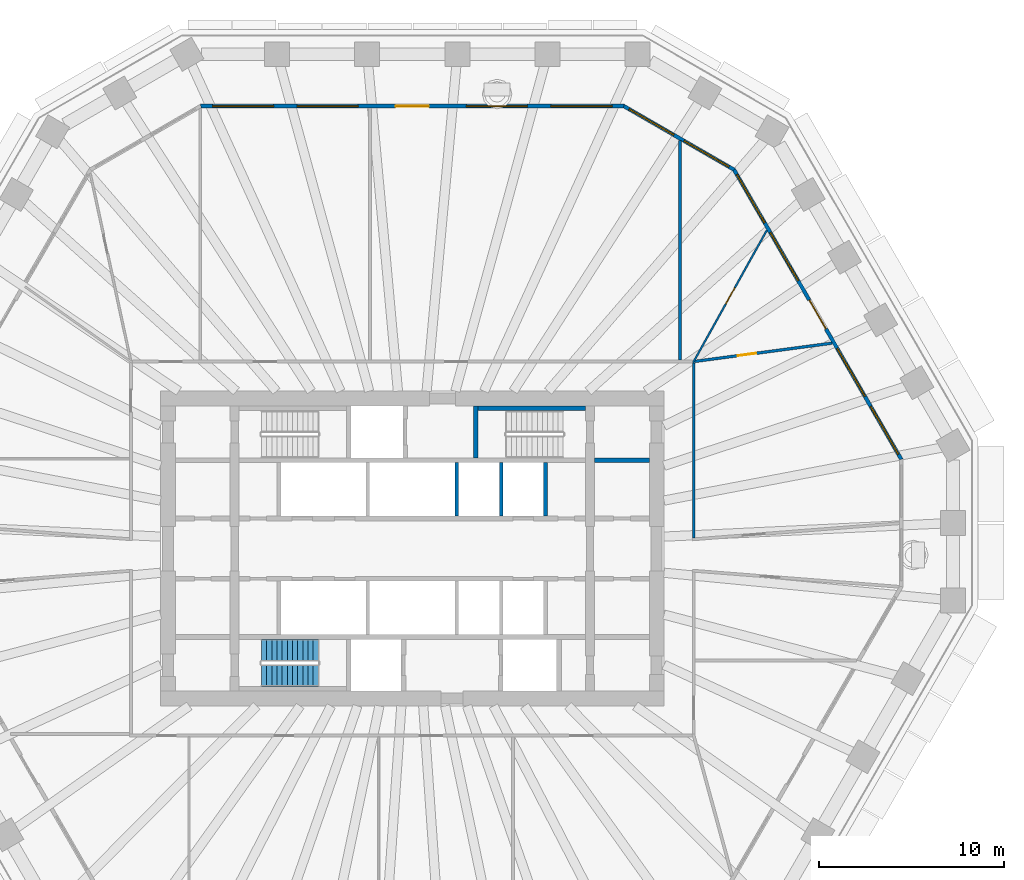
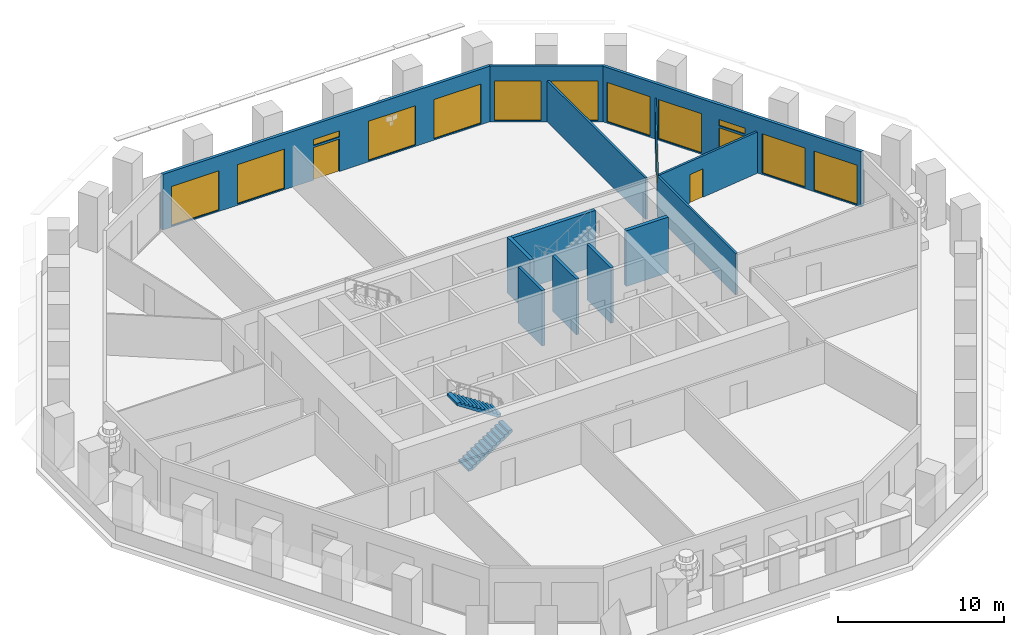
# One storey, part 7 of 12: 13 walls, 12 windows, 4 doors, 2 stair flights, 16 openings, 1 element without a shape of its own.
"""IFC4 building model written with IfcOpenShell, lengths in metres."""

from ifc_helpers import new_model, si_unit, direction, frame, frame_2d, origin, place, context, subcontext, project, spatial, polyline, rectangle, outline, extrude, material, layer, layer_set, type_object, element, fill, aggregate, save


model = new_model("IFC4")

# Units and contexts
model_context = context("Model", 3, precision=1e-05, world=origin(), true_north=direction((0.0, 1.0)))
body_context = subcontext(model_context, "Body", "Model", "MODEL_VIEW")
ifc_project = project(units=[si_unit("LENGTHUNIT", "METRE"), si_unit("AREAUNIT", "SQUARE_METRE"), si_unit("VOLUMEUNIT", "CUBIC_METRE"), si_unit("PLANEANGLEUNIT", "RADIAN"), si_unit("MASSUNIT", "GRAM", prefix="KILO")], contexts=[model_context])

# Site, building, storey
site_placement = place(None, origin())
site = spatial("IfcSite", under=ifc_project, at=site_placement, CompositionType="ELEMENT")
building_placement = place(site_placement, origin())
building = spatial("IfcBuilding", under=site, at=building_placement, Name="Frailejon Research Tower", CompositionType="ELEMENT")
storey_placement = place(building_placement, frame((0.0, 0.0, 126.39990234375)))
storey = spatial("IfcBuildingStorey", under=building, at=storey_placement, Name="L27", CompositionType="ELEMENT", Elevation=126.39990234375)

# Wall
ifc_material_1 = material(Name="Gypsum board and masonry partition", Category="masonry")
ifc_layer_1 = layer(ifc_material_1, 0.14990234375)
ifc_layer_set_1 = layer_set([ifc_layer_1], Name="Corridor wall EI 60, gypsum on steel studs 150")
wall_type_1 = type_object("IfcWallType", Name="Corridor wall EI 60, gypsum on steel studs 150", PredefinedType="PARTITIONING", material=ifc_layer_set_1)
wall_1_placement = place(storey_placement, frame((15.199951171875, 0.57568359375, 0.0), z_axis=(0.0, 0.0, 1.0), x_axis=(0.0, 1.0, 0.0)))
element("IfcWall", 1, at=wall_1_placement, inside=storey, type_object=wall_type_1, Name="T:IW:L27:004", PredefinedType="PARTITIONING", context=body_context, shape_type="SweptSolid", body=[
    extrude(rectangle(XDim=9.44921875, YDim=0.14990234375, at=frame_2d((4.724609375, 0.0))), origin(), (0.0, 0.0, 1.0), 3.050048828125),
])

# Wall, opening, door
ifc_material_2 = material(Name="Gypsum board and masonry partition", Category="masonry")
ifc_layer_2 = layer(ifc_material_2, 0.14990234375)
ifc_layer_set_2 = layer_set([ifc_layer_2], Name="Laboratory partition, blockwork 150")
wall_type_2 = type_object("IfcWallType", Name="Laboratory partition, blockwork 150", PredefinedType="PARTITIONING", material=ifc_layer_set_2)
wall_2_placement = place(storey_placement, frame((15.24951171875, 10.106689453125, 0.0), z_axis=(0.0, 0.0, 1.0), x_axis=(0.991272259153, 0.131830604315, 0.0)))
wall_2 = element("IfcWall", 2, at=wall_2_placement, inside=storey, type_object=wall_type_2, Name="T:IW:L27:011", PredefinedType="PARTITIONING", context=body_context, shape_type="SweptSolid", body=[
    extrude(rectangle(XDim=7.4892578125, YDim=0.14990234375, at=frame_2d((3.74462890625, 0.0))), origin(), (0.0, 0.0, 1.0), 3.050048828125),
])
opening_1_placement = place(wall_2_placement, frame((2.34375, 0.0, 0.0)))
opening_1 = element("IfcOpeningElement", 3, at=opening_1_placement, cuts=wall_2, Name="Opening D1648", PredefinedType="OPENING", context=body_context, shape_type="SweptSolid", body=[
    extrude(rectangle(XDim=1.0, YDim=2.10009765625, at=frame_2d((0.5, 1.050048828125))), frame((0.0, 0.0849609375, 0.0), z_axis=(0.0, -1.0, 0.0), x_axis=(1.0, 0.0, 0.0)), (0.0, 0.0, 1.0), 0.169921875),
])
ifc_material_3 = material(Name="Timber door leaf", Category="wood")
door_type_1 = type_object("IfcDoorType", Name="Door single leaf, timber, steel frame 1000", OperationType="NOTDEFINED", PredefinedType="DOOR", material=ifc_material_3)
door_1_placement = place(opening_1_placement, origin())
door_1 = element("IfcDoor", 4, at=door_1_placement, inside=storey, type_object=door_type_1, Name="D1648", OperationType="SINGLE_SWING_RIGHT", OverallHeight=2.10009765625, OverallWidth=1.0, PredefinedType="DOOR", context=body_context, shape_type="SweptSolid", body=[
    extrude(rectangle(XDim=1.0, YDim=2.10009765625, at=frame_2d((0.5, 1.050048828125))), frame((0.0, 0.02490234375, 0.0), z_axis=(0.0, -1.0, 0.0), x_axis=(1.0, 0.0, 0.0)), (0.0, 0.0, 1.0), 0.050048828125),
])
fill(opening_1, door_1)

# Wall
wall_3_placement = place(storey_placement, frame((14.453125, 10.175048828125, 0.0), z_axis=(0.0, 0.0, 1.0), x_axis=(0.0, 1.0, 0.0)))
element("IfcWall", 5, at=wall_3_placement, inside=storey, type_object=wall_type_2, Name="T:IW:L27:012", PredefinedType="PARTITIONING", context=body_context, shape_type="SweptSolid", body=[
    extrude(rectangle(XDim=11.862060546875, YDim=0.14990234375, at=frame_2d((5.93115234375, 0.0))), origin(), (0.0, 0.0, 1.0), 3.050048828125),
])

# Wall, opening, door
ifc_material_4 = material(Name="Gypsum board and masonry partition", Category="masonry")
ifc_layer_3 = layer(ifc_material_4, 0.10009765625)
ifc_layer_set_3 = layer_set([ifc_layer_3], Name="Partition, gypsum on steel studs 100")
wall_type_3 = type_object("IfcWallType", Name="Partition, gypsum on steel studs 100", PredefinedType="PARTITIONING", material=ifc_layer_set_3)
wall_4_placement = place(storey_placement, frame((15.16357421875, 10.034423828125, 0.0), z_axis=(0.0, 0.0, 1.0), x_axis=(0.486568356271, 0.873642509655, 0.0)))
wall_4 = element("IfcWall", 6, at=wall_4_placement, inside=storey, type_object=wall_type_3, Name="T:IW:L27:019", PredefinedType="PARTITIONING", context=body_context, shape_type="SweptSolid", body=[
    extrude(rectangle(XDim=8.19580078125, YDim=0.10009765625, at=frame_2d((4.097900390625, 0.0))), origin(), (0.0, 0.0, 1.0), 3.050048828125),
])
opening_2_placement = place(wall_4_placement, frame((3.63525390625, 0.0, 0.0)))
opening_2 = element("IfcOpeningElement", 7, at=opening_2_placement, cuts=wall_4, Name="Opening D1649", PredefinedType="OPENING", context=body_context, shape_type="SweptSolid", body=[
    extrude(rectangle(XDim=1.0, YDim=2.10009765625, at=frame_2d((0.5, 1.050048828125))), frame((0.0, 0.06005859375, 0.0), z_axis=(0.0, -1.0, 0.0), x_axis=(1.0, 0.0, 0.0)), (0.0, 0.0, 1.0), 0.1201171875),
])
door_2_placement = place(opening_2_placement, origin())
door_2 = element("IfcDoor", 8, at=door_2_placement, inside=storey, type_object=door_type_1, Name="D1649", OperationType="SINGLE_SWING_LEFT", OverallHeight=2.10009765625, OverallWidth=1.0, PredefinedType="DOOR", context=body_context, shape_type="SweptSolid", body=[
    extrude(rectangle(XDim=1.0, YDim=2.10009765625, at=frame_2d((0.5, 1.050048828125))), frame((0.0, 0.02490234375, 0.0), z_axis=(0.0, -1.0, 0.0), x_axis=(1.0, 0.0, 0.0)), (0.0, 0.0, 1.0), 0.050048828125),
])
fill(opening_2, door_2)

# Walls
ifc_material_5 = material(Name="Concrete C70/85", Category="concrete")
ifc_layer_4 = layer(ifc_material_5, 0.199951171875)
ifc_layer_set_4 = layer_set([ifc_layer_4], Name="Shaft wall 200 C70/85")
wall_type_4 = type_object("IfcWallType", Name="Shaft wall 200 C70/85", PredefinedType="SOLIDWALL", material=ifc_layer_set_4)
for number, where, z_axis, x_axis, name in (
    (9, (2.39990234375, 1.75, 0.0), (0.0, 0.0, 1.0), (0.0, 1.0, 0.0), "Shaft wall"),
    (10, (4.800048828125, 1.75, 0.0), (0.0, 0.0, 1.0), (0.0, 1.0, 0.0), "Shaft wall"),
    (11, (7.199951171875, 1.75, 0.0), (0.0, 0.0, 1.0), (0.0, 1.0, 0.0), "Shaft wall"),
):
    element("IfcWall", number, at=place(storey_placement, frame(where, z_axis=z_axis, x_axis=x_axis)), inside=storey, type_object=wall_type_4, Name=name, PredefinedType="SOLIDWALL", context=body_context, shape_type="SweptSolid", body=[
        extrude(rectangle(XDim=2.89990234375, YDim=0.199951171875, at=frame_2d((1.449951171875, 0.0))), origin(), (0.0, 0.0, 1.0), 4.10009765625),
    ])
ifc_material_6 = material(Name="Concrete C70/85", Category="concrete")
ifc_layer_5 = layer(ifc_material_6, 0.25)
ifc_layer_set_5 = layer_set([ifc_layer_5], Name="Shaft wall 250 C70/85")
wall_type_5 = type_object("IfcWallType", Name="Shaft wall 250 C70/85", PredefinedType="SOLIDWALL", material=ifc_layer_set_5)
wall_5_placement = place(storey_placement, frame((9.85009765625, 4.77490234375, 0.0), z_axis=(0.0, 0.0, 1.0), x_axis=(1.0, 0.0, 0.0)))
element("IfcWall", 12, at=wall_5_placement, inside=storey, type_object=wall_type_5, Name="Shaft wall", PredefinedType="SOLIDWALL", context=body_context, shape_type="SweptSolid", body=[
    extrude(rectangle(XDim=2.949951171875, YDim=0.25, at=frame_2d((1.47509765625, 0.0))), origin(), (0.0, 0.0, 1.0), 4.10009765625),
])
wall_6_placement = place(storey_placement, frame((3.550048828125, 7.574951171875, 0.0), z_axis=(0.0, 0.0, 1.0), x_axis=(1.0, 0.0, 0.0)))
element("IfcWall", 13, at=wall_6_placement, inside=storey, type_object=wall_type_5, Name="Shaft wall", PredefinedType="SOLIDWALL", context=body_context, shape_type="SweptSolid", body=[
    extrude(rectangle(XDim=5.800048828125, YDim=0.25, at=frame_2d((2.89990234375, 0.0))), origin(), (0.0, 0.0, 1.0), 4.10009765625),
])
wall_7_placement = place(storey_placement, frame((3.425048828125, 4.89990234375, 0.0), z_axis=(0.0, 0.0, 1.0), x_axis=(0.0, 1.0, 0.0)))
element("IfcWall", 14, at=wall_7_placement, inside=storey, type_object=wall_type_5, Name="Shaft wall", PredefinedType="SOLIDWALL", context=body_context, shape_type="SweptSolid", body=[
    extrude(rectangle(XDim=2.800048828125, YDim=0.25, at=frame_2d((1.39990234375, 0.0))), origin(), (0.0, 0.0, 1.0), 4.10009765625),
])

# Wall, openings, door, windows
ifc_material_7 = material(Name="Concrete C40/50 precast window wall panel", Category="concrete")
ifc_layer_6 = layer(ifc_material_7, 0.199951171875)
ifc_layer_set_6 = layer_set([ifc_layer_6], Name="Window wall 200")
wall_type_6 = type_object("IfcWallType", Name="Window wall 200", PredefinedType="SOLIDWALL", material=ifc_layer_set_6)
wall_8_placement = place(storey_placement, frame((26.4111328125, 4.820068359375, 0.0), z_axis=(0.0, 0.0, 1.0), x_axis=(-0.500000137386, 0.866025324465, 0.0)))
wall_8 = element("IfcWall", 15, at=wall_8_placement, inside=storey, type_object=wall_type_6, Name="Exterior wall L27", PredefinedType="SOLIDWALL", context=body_context, shape_type="SweptSolid", body=[
    extrude(outline(polyline([(-0.02685546875, -0.10009765625), (0.9794921875, -0.10009765625), (1.986083984375, -0.10009765625), (2.992431640625, -0.10009765625), (3.9990234375, -0.10009765625), (5.00537109375, -0.10009765625), (6.011962890625, -0.10009765625), (7.018310546875, -0.10009765625), (8.02490234375, -0.10009765625), (9.03125, -0.10009765625), (10.03759765625, -0.10009765625), (11.044189453125, -0.10009765625), (12.050537109375, -0.10009765625), (13.05712890625, -0.10009765625), (14.0634765625, -0.10009765625), (15.070068359375, -0.10009765625), (16.076416015625, -0.10009765625), (17.0830078125, -0.10009765625), (18.08935546875, -0.10009765625), (18.03564453125, 0.10009765625), (17.03515625, 0.10009765625), (16.03466796875, 0.10009765625), (15.0341796875, 0.10009765625), (14.03369140625, 0.10009765625), (13.033203125, 0.10009765625), (12.03271484375, 0.10009765625), (11.0322265625, 0.10009765625), (10.03173828125, 0.10009765625), (9.03125, 0.10009765625), (8.03076171875, 0.10009765625), (7.0302734375, 0.10009765625), (6.02978515625, 0.10009765625), (5.029296875, 0.10009765625), (4.02880859375, 0.10009765625), (3.0283203125, 0.10009765625), (2.02783203125, 0.10009765625), (1.02734375, 0.10009765625), (0.02685546875, 0.10009765625), (-0.02685546875, -0.10009765625)])), origin(), (0.0, 0.0, 1.0), 4.10009765625),
])
opening_3_placement = place(wall_8_placement, frame((0.306396484375, 0.0, 0.10009765625)))
opening_3 = element("IfcOpeningElement", 16, at=opening_3_placement, cuts=wall_8, Name="Opening W4", PredefinedType="OPENING", context=body_context, shape_type="SweptSolid", body=[
    extrude(rectangle(XDim=3.0, YDim=2.89990234375, at=frame_2d((1.5, 1.449951171875))), frame((0.0, 0.10986328125, 0.0), z_axis=(0.0, -1.0, 0.0), x_axis=(1.0, 0.0, 0.0)), (0.0, 0.0, 1.0), 0.219970703125),
])
opening_4_placement = place(wall_8_placement, frame((3.918701171875, 0.0, 0.10009765625)))
opening_4 = element("IfcOpeningElement", 17, at=opening_4_placement, cuts=wall_8, Name="Opening W4", PredefinedType="OPENING", context=body_context, shape_type="SweptSolid", body=[
    extrude(rectangle(XDim=3.0, YDim=2.89990234375, at=frame_2d((1.5, 1.449951171875))), frame((0.0, 0.10986328125, 0.0), z_axis=(0.0, -1.0, 0.0), x_axis=(1.0, 0.0, 0.0)), (0.0, 0.0, 1.0), 0.219970703125),
])
opening_5_placement = place(wall_8_placement, frame((8.13134765625, 0.0, 0.0)))
opening_5 = element("IfcOpeningElement", 18, at=opening_5_placement, cuts=wall_8, Name="Opening LG27-1", PredefinedType="OPENING", context=body_context, shape_type="SweptSolid", body=[
    extrude(rectangle(XDim=1.800048828125, YDim=2.39990234375, at=frame_2d((0.89990234375, 1.199951171875))), frame((0.0, 0.10986328125, 0.0), z_axis=(0.0, -1.0, 0.0), x_axis=(1.0, 0.0, 0.0)), (0.0, 0.0, 1.0), 0.219970703125),
])
opening_6_placement = place(wall_8_placement, frame((8.13134765625, 0.0, 2.550048828125)))
opening_6 = element("IfcOpeningElement", 19, at=opening_6_placement, cuts=wall_8, Name="Opening W1", PredefinedType="OPENING", context=body_context, shape_type="SweptSolid", body=[
    extrude(rectangle(XDim=1.800048828125, YDim=0.449951171875, at=frame_2d((0.89990234375, 0.22509765625))), frame((0.0, 0.10986328125, 0.0), z_axis=(0.0, -1.0, 0.0), x_axis=(1.0, 0.0, 0.0)), (0.0, 0.0, 1.0), 0.219970703125),
])
opening_7_placement = place(wall_8_placement, frame((11.143798828125, 0.0, 0.10009765625)))
opening_7 = element("IfcOpeningElement", 20, at=opening_7_placement, cuts=wall_8, Name="Opening W4", PredefinedType="OPENING", context=body_context, shape_type="SweptSolid", body=[
    extrude(rectangle(XDim=3.0, YDim=2.89990234375, at=frame_2d((1.5, 1.449951171875))), frame((0.0, 0.10986328125, 0.0), z_axis=(0.0, -1.0, 0.0), x_axis=(1.0, 0.0, 0.0)), (0.0, 0.0, 1.0), 0.219970703125),
])
opening_8_placement = place(wall_8_placement, frame((14.75634765625, 0.0, 0.10009765625)))
opening_8 = element("IfcOpeningElement", 21, at=opening_8_placement, cuts=wall_8, Name="Opening W4", PredefinedType="OPENING", context=body_context, shape_type="SweptSolid", body=[
    extrude(rectangle(XDim=3.0, YDim=2.89990234375, at=frame_2d((1.5, 1.449951171875))), frame((0.0, 0.10986328125, 0.0), z_axis=(0.0, -1.0, 0.0), x_axis=(1.0, 0.0, 0.0)), (0.0, 0.0, 1.0), 0.219970703125),
])
ifc_material_8 = material(Name="Aluminium framed glazed door leaf", Category="aluminium")
door_type_2 = type_object("IfcDoorType", Name="Loggia door 1800x2400", OperationType="DOUBLE_DOOR_SINGLE_SWING", PredefinedType="DOOR", material=ifc_material_8)
door_3_placement = place(opening_5_placement, origin())
door_3 = element("IfcDoor", 22, at=door_3_placement, inside=storey, type_object=door_type_2, Name="Door LG27-1", OperationType="DOUBLE_DOOR_SINGLE_SWING", OverallHeight=2.39990234375, OverallWidth=1.800048828125, PredefinedType="DOOR", context=body_context, shape_type="SweptSolid", body=[
    extrude(rectangle(XDim=1.800048828125, YDim=2.39990234375, at=frame_2d((0.89990234375, 1.199951171875))), frame((0.0, 0.02490234375, 0.0), z_axis=(0.0, -1.0, 0.0), x_axis=(1.0, 0.0, 0.0)), (0.0, 0.0, 1.0), 0.050048828125),
])
fill(opening_5, door_3)
ifc_material_9 = material(Name="Aluminium framed double glazing", Category="aluminium")
window_type_1 = type_object("IfcWindowType", Name="Window 1800x450", PartitioningType="SINGLE_PANEL", PredefinedType="WINDOW", material=ifc_material_9)
window_1_placement = place(opening_6_placement, origin())
window_1 = element("IfcWindow", 23, at=window_1_placement, inside=storey, type_object=window_type_1, Name="Window L27", OverallHeight=0.449951171875, OverallWidth=1.800048828125, PartitioningType="SINGLE_PANEL", PredefinedType="WINDOW", context=body_context, shape_type="SweptSolid", body=[
    extrude(rectangle(XDim=1.800048828125, YDim=0.449951171875, at=frame_2d((0.89990234375, 0.22509765625))), frame((0.0, 0.030029296875, 0.0), z_axis=(0.0, -1.0, 0.0), x_axis=(1.0, 0.0, 0.0)), (0.0, 0.0, 1.0), 0.06005859375),
])
fill(opening_6, window_1)
ifc_material_10 = material(Name="Aluminium framed double glazing", Category="aluminium")
window_type_2 = type_object("IfcWindowType", Name="Window 3000x2900", PartitioningType="SINGLE_PANEL", PredefinedType="WINDOW", material=ifc_material_10)
window_2_placement = place(opening_3_placement, origin())
window_2 = element("IfcWindow", 24, at=window_2_placement, inside=storey, type_object=window_type_2, Name="Window L27", OverallHeight=2.89990234375, OverallWidth=3.0, PartitioningType="SINGLE_PANEL", PredefinedType="WINDOW", context=body_context, shape_type="SweptSolid", body=[
    extrude(rectangle(XDim=3.0, YDim=2.89990234375, at=frame_2d((1.5, 1.449951171875))), frame((0.0, 0.030029296875, 0.0), z_axis=(0.0, -1.0, 0.0), x_axis=(1.0, 0.0, 0.0)), (0.0, 0.0, 1.0), 0.06005859375),
])
fill(opening_3, window_2)
window_3_placement = place(opening_4_placement, origin())
window_3 = element("IfcWindow", 25, at=window_3_placement, inside=storey, type_object=window_type_2, Name="Window L27", OverallHeight=2.89990234375, OverallWidth=3.0, PartitioningType="SINGLE_PANEL", PredefinedType="WINDOW", context=body_context, shape_type="SweptSolid", body=[
    extrude(rectangle(XDim=3.0, YDim=2.89990234375, at=frame_2d((1.5, 1.449951171875))), frame((0.0, 0.030029296875, 0.0), z_axis=(0.0, -1.0, 0.0), x_axis=(1.0, 0.0, 0.0)), (0.0, 0.0, 1.0), 0.06005859375),
])
fill(opening_4, window_3)
window_4_placement = place(opening_7_placement, origin())
window_4 = element("IfcWindow", 26, at=window_4_placement, inside=storey, type_object=window_type_2, Name="Window L27", OverallHeight=2.89990234375, OverallWidth=3.0, PartitioningType="SINGLE_PANEL", PredefinedType="WINDOW", context=body_context, shape_type="SweptSolid", body=[
    extrude(rectangle(XDim=3.0, YDim=2.89990234375, at=frame_2d((1.5, 1.449951171875))), frame((0.0, 0.030029296875, 0.0), z_axis=(0.0, -1.0, 0.0), x_axis=(1.0, 0.0, 0.0)), (0.0, 0.0, 1.0), 0.06005859375),
])
fill(opening_7, window_4)
window_5_placement = place(opening_8_placement, origin())
window_5 = element("IfcWindow", 27, at=window_5_placement, inside=storey, type_object=window_type_2, Name="Window L27", OverallHeight=2.89990234375, OverallWidth=3.0, PartitioningType="SINGLE_PANEL", PredefinedType="WINDOW", context=body_context, shape_type="SweptSolid", body=[
    extrude(rectangle(XDim=3.0, YDim=2.89990234375, at=frame_2d((1.5, 1.449951171875))), frame((0.0, 0.030029296875, 0.0), z_axis=(0.0, -1.0, 0.0), x_axis=(1.0, 0.0, 0.0)), (0.0, 0.0, 1.0), 0.06005859375),
])
fill(opening_8, window_5)

# Wall, openings, windows
wall_9_placement = place(storey_placement, frame((17.3798828125, 20.462646484375, 0.0), z_axis=(0.0, 0.0, 1.0), x_axis=(-0.866029458321, 0.49999297727, 0.0)))
wall_9 = element("IfcWall", 28, at=wall_9_placement, inside=storey, type_object=wall_type_6, Name="Exterior wall L27", PredefinedType="SOLIDWALL", context=body_context, shape_type="SweptSolid", body=[
    extrude(outline(polyline([(-0.02685546875, -0.10009765625), (1.1279296875, -0.10009765625), (2.282470703125, -0.10009765625), (3.437255859375, -0.10009765625), (4.592041015625, -0.10009765625), (5.74658203125, -0.10009765625), (6.9013671875, -0.10009765625), (6.84765625, 0.10009765625), (5.7109375, 0.10009765625), (4.573974609375, 0.10009765625), (3.437255859375, 0.10009765625), (2.300537109375, 0.10009765625), (1.16357421875, 0.10009765625), (0.02685546875, 0.10009765625), (-0.02685546875, -0.10009765625)])), origin(), (0.0, 0.0, 1.0), 4.10009765625),
])
opening_9_placement = place(wall_9_placement, frame((0.318603515625, 0.0, 0.10009765625)))
opening_9 = element("IfcOpeningElement", 29, at=opening_9_placement, cuts=wall_9, Name="Opening W3", PredefinedType="OPENING", context=body_context, shape_type="SweptSolid", body=[
    extrude(rectangle(XDim=2.800048828125, YDim=2.89990234375, at=frame_2d((1.39990234375, 1.449951171875))), frame((0.0, 0.10986328125, 0.0), z_axis=(0.0, -1.0, 0.0), x_axis=(1.0, 0.0, 0.0)), (0.0, 0.0, 1.0), 0.219970703125),
])
opening_10_placement = place(wall_9_placement, frame((3.756103515625, 0.0, 0.10009765625)))
opening_10 = element("IfcOpeningElement", 30, at=opening_10_placement, cuts=wall_9, Name="Opening W3", PredefinedType="OPENING", context=body_context, shape_type="SweptSolid", body=[
    extrude(rectangle(XDim=2.800048828125, YDim=2.89990234375, at=frame_2d((1.39990234375, 1.449951171875))), frame((0.0, 0.10986328125, 0.0), z_axis=(0.0, -1.0, 0.0), x_axis=(1.0, 0.0, 0.0)), (0.0, 0.0, 1.0), 0.219970703125),
])
ifc_material_11 = material(Name="Aluminium framed double glazing", Category="aluminium")
window_type_3 = type_object("IfcWindowType", Name="Window 2800x2900", PartitioningType="SINGLE_PANEL", PredefinedType="WINDOW", material=ifc_material_11)
window_6_placement = place(opening_9_placement, origin())
window_6 = element("IfcWindow", 31, at=window_6_placement, inside=storey, type_object=window_type_3, Name="Window L27", OverallHeight=2.89990234375, OverallWidth=2.800048828125, PartitioningType="SINGLE_PANEL", PredefinedType="WINDOW", context=body_context, shape_type="SweptSolid", body=[
    extrude(rectangle(XDim=2.800048828125, YDim=2.89990234375, at=frame_2d((1.39990234375, 1.449951171875))), frame((0.0, 0.030029296875, 0.0), z_axis=(0.0, -1.0, 0.0), x_axis=(1.0, 0.0, 0.0)), (0.0, 0.0, 1.0), 0.06005859375),
])
fill(opening_9, window_6)
window_7_placement = place(opening_10_placement, origin())
window_7 = element("IfcWindow", 32, at=window_7_placement, inside=storey, type_object=window_type_3, Name="Window L27", OverallHeight=2.89990234375, OverallWidth=2.800048828125, PartitioningType="SINGLE_PANEL", PredefinedType="WINDOW", context=body_context, shape_type="SweptSolid", body=[
    extrude(rectangle(XDim=2.800048828125, YDim=2.89990234375, at=frame_2d((1.39990234375, 1.449951171875))), frame((0.0, 0.030029296875, 0.0), z_axis=(0.0, -1.0, 0.0), x_axis=(1.0, 0.0, 0.0)), (0.0, 0.0, 1.0), 0.06005859375),
])
fill(opening_10, window_7)

# Wall, openings, door, windows
wall_10_placement = place(storey_placement, frame((11.42626953125, 23.89990234375, 0.0), z_axis=(0.0, 0.0, 1.0), x_axis=(-1.0, 0.0, 0.0)))
wall_10 = element("IfcWall", 33, at=wall_10_placement, inside=storey, type_object=wall_type_6, Name="Exterior wall L27", PredefinedType="SOLIDWALL", context=body_context, shape_type="SweptSolid", body=[
    extrude(outline(polyline([(-0.02685546875, -0.10009765625), (1.014404296875, -0.10009765625), (2.055419921875, -0.10009765625), (3.0966796875, -0.10009765625), (4.137939453125, -0.10009765625), (5.17919921875, -0.10009765625), (6.22021484375, -0.10009765625), (7.261474609375, -0.10009765625), (8.302734375, -0.10009765625), (9.343994140625, -0.10009765625), (10.385009765625, -0.10009765625), (11.42626953125, -0.10009765625), (12.467529296875, -0.10009765625), (13.508544921875, -0.10009765625), (14.5498046875, -0.10009765625), (15.591064453125, -0.10009765625), (16.63232421875, -0.10009765625), (17.67333984375, -0.10009765625), (18.714599609375, -0.10009765625), (19.755859375, -0.10009765625), (20.797119140625, -0.10009765625), (21.838134765625, -0.10009765625), (22.87939453125, -0.10009765625), (22.82568359375, 0.10009765625), (21.789306640625, 0.10009765625), (20.753173828125, 0.10009765625), (19.716796875, 0.10009765625), (18.680419921875, 0.10009765625), (17.64404296875, 0.10009765625), (16.60791015625, 0.10009765625), (15.571533203125, 0.10009765625), (14.53515625, 0.10009765625), (13.498779296875, 0.10009765625), (12.462646484375, 0.10009765625), (11.42626953125, 0.10009765625), (10.389892578125, 0.10009765625), (9.353759765625, 0.10009765625), (8.3173828125, 0.10009765625), (7.281005859375, 0.10009765625), (6.24462890625, 0.10009765625), (5.20849609375, 0.10009765625), (4.172119140625, 0.10009765625), (3.1357421875, 0.10009765625), (2.099365234375, 0.10009765625), (1.063232421875, 0.10009765625), (0.02685546875, 0.10009765625), (-0.02685546875, -0.10009765625)])), origin(), (0.0, 0.0, 1.0), 4.10009765625),
])
opening_11_placement = place(wall_10_placement, frame((0.63525390625, 0.0, 0.10009765625)))
opening_11 = element("IfcOpeningElement", 34, at=opening_11_placement, cuts=wall_10, Name="Opening W5", PredefinedType="OPENING", context=body_context, shape_type="SweptSolid", body=[
    extrude(rectangle(XDim=3.300048828125, YDim=2.89990234375, at=frame_2d((1.64990234375, 1.449951171875))), frame((0.0, 0.10986328125, 0.0), z_axis=(0.0, -1.0, 0.0), x_axis=(1.0, 0.0, 0.0)), (0.0, 0.0, 1.0), 0.219970703125),
])
opening_12_placement = place(wall_10_placement, frame((5.205810546875, 0.0, 0.10009765625)))
opening_12 = element("IfcOpeningElement", 35, at=opening_12_placement, cuts=wall_10, Name="Opening W5", PredefinedType="OPENING", context=body_context, shape_type="SweptSolid", body=[
    extrude(rectangle(XDim=3.300048828125, YDim=2.89990234375, at=frame_2d((1.64990234375, 1.449951171875))), frame((0.0, 0.10986328125, 0.0), z_axis=(0.0, -1.0, 0.0), x_axis=(1.0, 0.0, 0.0)), (0.0, 0.0, 1.0), 0.219970703125),
])
opening_13_placement = place(wall_10_placement, frame((10.5263671875, 0.0, 0.0)))
opening_13 = element("IfcOpeningElement", 36, at=opening_13_placement, cuts=wall_10, Name="Opening LG27-2", PredefinedType="OPENING", context=body_context, shape_type="SweptSolid", body=[
    extrude(rectangle(XDim=1.800048828125, YDim=2.39990234375, at=frame_2d((0.89990234375, 1.199951171875))), frame((0.0, 0.10986328125, 0.0), z_axis=(0.0, -1.0, 0.0), x_axis=(1.0, 0.0, 0.0)), (0.0, 0.0, 1.0), 0.219970703125),
])
opening_14_placement = place(wall_10_placement, frame((10.5263671875, 0.0, 2.550048828125)))
opening_14 = element("IfcOpeningElement", 37, at=opening_14_placement, cuts=wall_10, Name="Opening W1", PredefinedType="OPENING", context=body_context, shape_type="SweptSolid", body=[
    extrude(rectangle(XDim=1.800048828125, YDim=0.449951171875, at=frame_2d((0.89990234375, 0.22509765625))), frame((0.0, 0.10986328125, 0.0), z_axis=(0.0, -1.0, 0.0), x_axis=(1.0, 0.0, 0.0)), (0.0, 0.0, 1.0), 0.219970703125),
])
opening_15_placement = place(wall_10_placement, frame((14.3466796875, 0.0, 0.10009765625)))
opening_15 = element("IfcOpeningElement", 38, at=opening_15_placement, cuts=wall_10, Name="Opening W5", PredefinedType="OPENING", context=body_context, shape_type="SweptSolid", body=[
    extrude(rectangle(XDim=3.300048828125, YDim=2.89990234375, at=frame_2d((1.64990234375, 1.449951171875))), frame((0.0, 0.10986328125, 0.0), z_axis=(0.0, -1.0, 0.0), x_axis=(1.0, 0.0, 0.0)), (0.0, 0.0, 1.0), 0.219970703125),
])
opening_16_placement = place(wall_10_placement, frame((18.917236328125, 0.0, 0.10009765625)))
opening_16 = element("IfcOpeningElement", 39, at=opening_16_placement, cuts=wall_10, Name="Opening W5", PredefinedType="OPENING", context=body_context, shape_type="SweptSolid", body=[
    extrude(rectangle(XDim=3.300048828125, YDim=2.89990234375, at=frame_2d((1.64990234375, 1.449951171875))), frame((0.0, 0.10986328125, 0.0), z_axis=(0.0, -1.0, 0.0), x_axis=(1.0, 0.0, 0.0)), (0.0, 0.0, 1.0), 0.219970703125),
])
door_4_placement = place(opening_13_placement, origin())
door_4 = element("IfcDoor", 40, at=door_4_placement, inside=storey, type_object=door_type_2, Name="Door LG27-2", OperationType="DOUBLE_DOOR_SINGLE_SWING", OverallHeight=2.39990234375, OverallWidth=1.800048828125, PredefinedType="DOOR", context=body_context, shape_type="SweptSolid", body=[
    extrude(rectangle(XDim=1.800048828125, YDim=2.39990234375, at=frame_2d((0.89990234375, 1.199951171875))), frame((0.0, 0.02490234375, 0.0), z_axis=(0.0, -1.0, 0.0), x_axis=(1.0, 0.0, 0.0)), (0.0, 0.0, 1.0), 0.050048828125),
])
fill(opening_13, door_4)
window_8_placement = place(opening_14_placement, origin())
window_8 = element("IfcWindow", 41, at=window_8_placement, inside=storey, type_object=window_type_1, Name="Window L27", OverallHeight=0.449951171875, OverallWidth=1.800048828125, PartitioningType="SINGLE_PANEL", PredefinedType="WINDOW", context=body_context, shape_type="SweptSolid", body=[
    extrude(rectangle(XDim=1.800048828125, YDim=0.449951171875, at=frame_2d((0.89990234375, 0.22509765625))), frame((0.0, 0.030029296875, 0.0), z_axis=(0.0, -1.0, 0.0), x_axis=(1.0, 0.0, 0.0)), (0.0, 0.0, 1.0), 0.06005859375),
])
fill(opening_14, window_8)
ifc_material_12 = material(Name="Aluminium framed double glazing", Category="aluminium")
window_type_4 = type_object("IfcWindowType", Name="Window 3300x2900", PartitioningType="SINGLE_PANEL", PredefinedType="WINDOW", material=ifc_material_12)
window_9_placement = place(opening_11_placement, origin())
window_9 = element("IfcWindow", 42, at=window_9_placement, inside=storey, type_object=window_type_4, Name="Window L27", OverallHeight=2.89990234375, OverallWidth=3.300048828125, PartitioningType="SINGLE_PANEL", PredefinedType="WINDOW", context=body_context, shape_type="SweptSolid", body=[
    extrude(rectangle(XDim=3.300048828125, YDim=2.89990234375, at=frame_2d((1.64990234375, 1.449951171875))), frame((0.0, 0.030029296875, 0.0), z_axis=(0.0, -1.0, 0.0), x_axis=(1.0, 0.0, 0.0)), (0.0, 0.0, 1.0), 0.06005859375),
])
fill(opening_11, window_9)
window_10_placement = place(opening_12_placement, origin())
window_10 = element("IfcWindow", 43, at=window_10_placement, inside=storey, type_object=window_type_4, Name="Window L27", OverallHeight=2.89990234375, OverallWidth=3.300048828125, PartitioningType="SINGLE_PANEL", PredefinedType="WINDOW", context=body_context, shape_type="SweptSolid", body=[
    extrude(rectangle(XDim=3.300048828125, YDim=2.89990234375, at=frame_2d((1.64990234375, 1.449951171875))), frame((0.0, 0.030029296875, 0.0), z_axis=(0.0, -1.0, 0.0), x_axis=(1.0, 0.0, 0.0)), (0.0, 0.0, 1.0), 0.06005859375),
])
fill(opening_12, window_10)
window_11_placement = place(opening_15_placement, origin())
window_11 = element("IfcWindow", 44, at=window_11_placement, inside=storey, type_object=window_type_4, Name="Window L27", OverallHeight=2.89990234375, OverallWidth=3.300048828125, PartitioningType="SINGLE_PANEL", PredefinedType="WINDOW", context=body_context, shape_type="SweptSolid", body=[
    extrude(rectangle(XDim=3.300048828125, YDim=2.89990234375, at=frame_2d((1.64990234375, 1.449951171875))), frame((0.0, 0.030029296875, 0.0), z_axis=(0.0, -1.0, 0.0), x_axis=(1.0, 0.0, 0.0)), (0.0, 0.0, 1.0), 0.06005859375),
])
fill(opening_15, window_11)
window_12_placement = place(opening_16_placement, origin())
window_12 = element("IfcWindow", 45, at=window_12_placement, inside=storey, type_object=window_type_4, Name="Window L27", OverallHeight=2.89990234375, OverallWidth=3.300048828125, PartitioningType="SINGLE_PANEL", PredefinedType="WINDOW", context=body_context, shape_type="SweptSolid", body=[
    extrude(rectangle(XDim=3.300048828125, YDim=2.89990234375, at=frame_2d((1.64990234375, 1.449951171875))), frame((0.0, 0.030029296875, 0.0), z_axis=(0.0, -1.0, 0.0), x_axis=(1.0, 0.0, 0.0)), (0.0, 0.0, 1.0), 0.06005859375),
])
fill(opening_16, window_12)

# Stair, stair flights
ifc_material_13 = material(Name="Concrete C50/60", Category="concrete")
stair_type = type_object("IfcStairType", Name="Exit stair 24 risers", PredefinedType="HALF_TURN_STAIR", material=ifc_material_13)
stair_placement = place(storey_placement, origin())
stair = element("IfcStair", 46, at=stair_placement, inside=storey, type_object=stair_type, Name="L27 Exit stair ST2", PredefinedType="HALF_TURN_STAIR")
ifc_material_14 = material(Name="Concrete C50/60", Category="concrete")
ifc_layer_7 = layer(ifc_material_14, 0.14990234375)
ifc_layer_set_7 = layer_set([ifc_layer_7], Name="Stair flight 12 risers")
stair_flight_type = type_object("IfcStairFlightType", Name="Stair flight 12 risers", PredefinedType="STRAIGHT", material=ifc_layer_set_7)
stair_flight_1_placement = place(storey_placement, frame((-8.14990234375, -6.85009765625, 0.0), z_axis=(0.0, 0.0, 1.0), x_axis=(1.0, 0.0, 0.0)))
stair_flight_1 = element("IfcStairFlight", 47, at=stair_flight_1_placement, type_object=stair_flight_type, Name="ST2 flight 1", NumberOfRisers=12, NumberOfTreads=11, PredefinedType="STRAIGHT", RiserHeight=0.183333333, TreadLength=0.28, context=body_context, shape_type="SweptSolid", body=[
    extrude(outline(polyline([(0.0, 0.0), (0.0, 0.183349609375), (0.280029296875, 0.183349609375), (0.280029296875, 0.36669921875), (0.56005859375, 0.36669921875), (0.56005859375, 0.550048828125), (0.840087890625, 0.550048828125), (0.840087890625, 0.7333984375), (1.1201171875, 0.7333984375), (1.1201171875, 0.916748046875), (1.39990234375, 0.916748046875), (1.39990234375, 1.10009765625), (1.679931640625, 1.10009765625), (1.679931640625, 1.283447265625), (1.9599609375, 1.283447265625), (1.9599609375, 1.466552734375), (2.239990234375, 1.466552734375), (2.239990234375, 1.64990234375), (2.52001953125, 1.64990234375), (2.52001953125, 1.833251953125), (2.800048828125, 1.833251953125), (2.800048828125, 2.0166015625), (3.080078125, 2.0166015625), (3.080078125, 2.199951171875), (3.080078125, 1.83740234375), (0.273681640625, 0.0), (0.0, 0.0)])), frame((0.0, 0.60009765625, 0.0), z_axis=(0.0, -1.0, 0.0), x_axis=(1.0, 0.0, 0.0)), (0.0, 0.0, 1.0), 1.199951171875),
])
stair_flight_2_placement = place(storey_placement, frame((-5.070068359375, -5.5, 2.2001953125), z_axis=(0.0, 0.0, 1.0), x_axis=(-1.0, 0.0, 0.0)))
stair_flight_2 = element("IfcStairFlight", 48, at=stair_flight_2_placement, type_object=stair_flight_type, Name="ST2 flight 2", NumberOfRisers=12, NumberOfTreads=11, PredefinedType="STRAIGHT", RiserHeight=0.183333333, TreadLength=0.28, context=body_context, shape_type="SweptSolid", body=[
    extrude(outline(polyline([(0.0, 0.0), (0.0, 0.183349609375), (0.280029296875, 0.183349609375), (0.280029296875, 0.36669921875), (0.56005859375, 0.36669921875), (0.56005859375, 0.550048828125), (0.840087890625, 0.550048828125), (0.840087890625, 0.7333984375), (1.1201171875, 0.7333984375), (1.1201171875, 0.916748046875), (1.39990234375, 0.916748046875), (1.39990234375, 1.10009765625), (1.679931640625, 1.10009765625), (1.679931640625, 1.283447265625), (1.9599609375, 1.283447265625), (1.9599609375, 1.466552734375), (2.239990234375, 1.466552734375), (2.239990234375, 1.64990234375), (2.52001953125, 1.64990234375), (2.52001953125, 1.833251953125), (2.800048828125, 1.833251953125), (2.800048828125, 2.0166015625), (3.080078125, 2.0166015625), (3.080078125, 2.199951171875), (3.080078125, 1.83740234375), (0.273681640625, 0.0), (0.0, 0.0)])), frame((0.0, 0.60009765625, 0.0), z_axis=(0.0, -1.0, 0.0), x_axis=(1.0, 0.0, 0.0)), (0.0, 0.0, 1.0), 1.199951171875),
])
aggregate(stair, [stair_flight_1, stair_flight_2])

save(model, "model.ifc")
